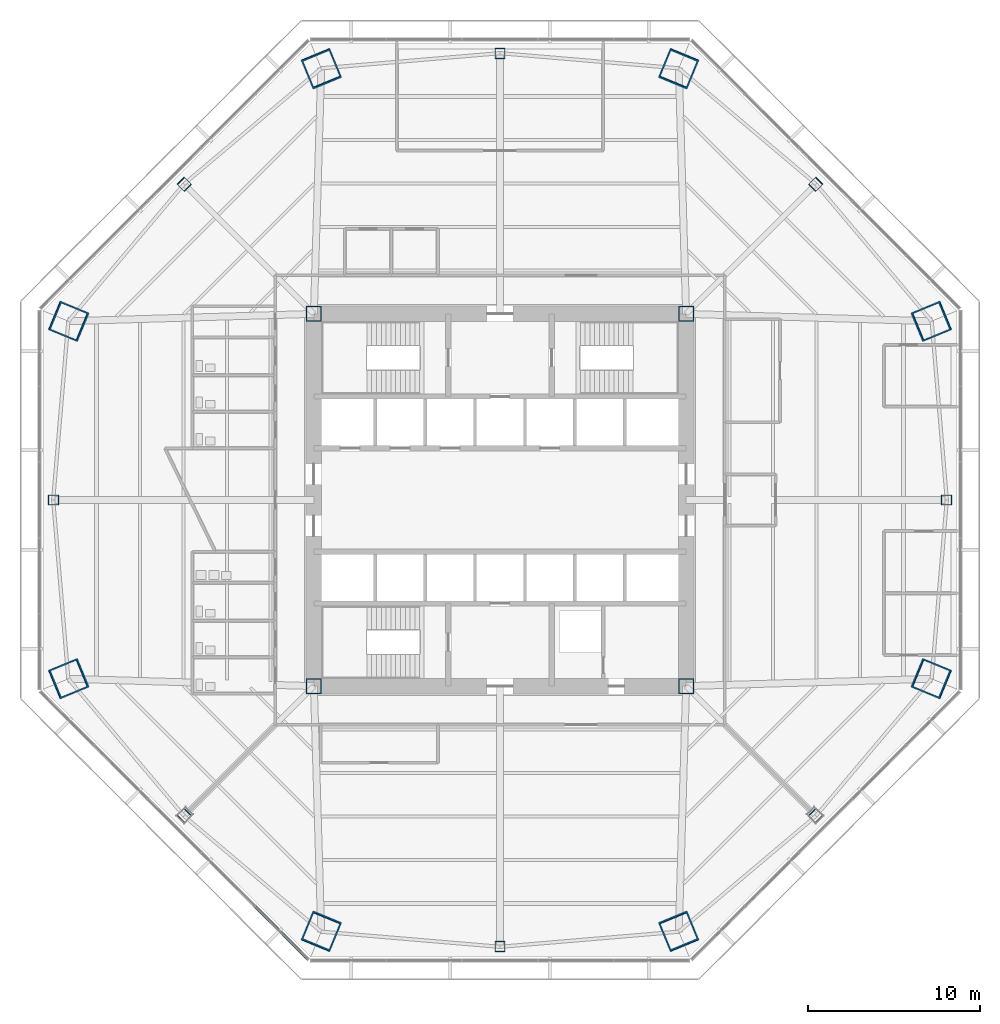
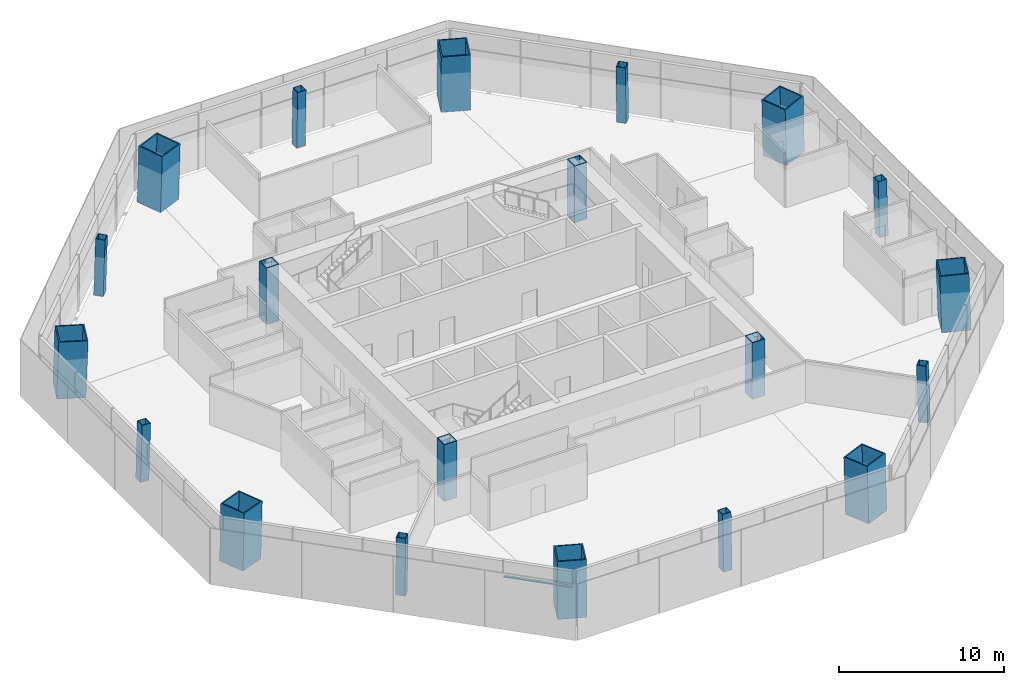
# One storey, part 1 of 13: 20 columns, 1 member, 1 element without a shape of its own.
"""IFC4 building model written with IfcOpenShell, lengths in metres."""

from ifc_helpers import new_model, si_unit, direction, frame, origin, origin_2d, place, context, subcontext, project, spatial, rectangle, hollow_rectangle, extrude, source, transform, mapped, material, material_profile, profile_set, type_object, type_shapes, element, aggregate, save


model = new_model("IFC4")

# Units and contexts
model_context = context("Model", 3, precision=1e-05, world=origin(), true_north=direction((0.0, 1.0)))
body_context = subcontext(model_context, "Body", "Model", "MODEL_VIEW")
ifc_project = project(units=[si_unit("LENGTHUNIT", "METRE"), si_unit("AREAUNIT", "SQUARE_METRE"), si_unit("VOLUMEUNIT", "CUBIC_METRE"), si_unit("PLANEANGLEUNIT", "RADIAN"), si_unit("MASSUNIT", "GRAM", prefix="KILO")], contexts=[model_context])

# Site, building, storey
site_placement = place(None, origin())
site = spatial("IfcSite", under=ifc_project, at=site_placement, CompositionType="ELEMENT")
building_placement = place(site_placement, origin())
building = spatial("IfcBuilding", under=site, at=building_placement, Name="Mashrafa Tower", CompositionType="ELEMENT")
storey_placement = place(building_placement, frame((0.0, 0.0, 45.60009765625)))
storey = spatial("IfcBuildingStorey", under=building, at=storey_placement, Name="L09", CompositionType="ELEMENT", Elevation=45.60009765625)

# Columns
ifc_material_1 = material(Name="Steel ASTM A572 Gr 50", Category="steel")
ifc_material_profile_1 = material_profile(ifc_material_1, hollow_rectangle(XDim=0.89990234375, YDim=0.89990234375, WallThickness=0.06005859375, at=origin_2d()), Name="BOX900X900X60")
ifc_profile_set_1 = profile_set([ifc_material_profile_1], Name="Steel ASTM A572 Gr 50")
column_type_1 = type_object("IfcColumnType", Name="Core corner column BOX900X900X60", PredefinedType="COLUMN", material=ifc_profile_set_1)
for number, where, z_axis, x_axis, name in (
    (1, (10.800048828125, 10.800048828125, 0.0), (0.0, 0.0, 1.0), (1.0, 0.0, 0.0), "Core corner column CC-NE L09"),
    (2, (-10.800048828125, 10.800048828125, 0.0), (0.0, 0.0, 1.0), (1.0, 0.0, 0.0), "Core corner column CC-NW L09"),
    (3, (-10.800048828125, -10.800048828125, 0.0), (0.0, 0.0, 1.0), (1.0, 0.0, 0.0), "Core corner column CC-SW L09"),
    (4, (10.800048828125, -10.800048828125, 0.0), (0.0, 0.0, 1.0), (1.0, 0.0, 0.0), "Core corner column CC-SE L09"),
):
    element("IfcColumn", number, at=place(storey_placement, frame(where, z_axis=z_axis, x_axis=x_axis)), inside=storey, type_object=column_type_1, Name=name, PredefinedType="COLUMN", context=body_context, shape_type="SweptSolid", body=[
        extrude(hollow_rectangle(XDim=0.89990234375, YDim=0.89990234375, WallThickness=0.06005859375, at=origin_2d()), origin(), (0.0, 0.0, 1.0), 4.199951171875),
    ])
ifc_material_2 = material(Name="Steel ASTM A572 Gr 50", Category="steel")
ifc_material_profile_2 = material_profile(ifc_material_2, hollow_rectangle(XDim=1.800048828125, YDim=1.800048828125, WallThickness=0.0849609375, at=origin_2d()), Name="BOX1800X1800X85")
ifc_profile_set_2 = profile_set([ifc_material_profile_2], Name="Steel ASTM A572 Gr 50")
column_type_2 = type_object("IfcColumnType", Name="Mega column CFST BOX1800X1800X85", PredefinedType="COLUMN", material=ifc_profile_set_2)
for number, where, z_axis, x_axis, name in (
    (5, (25.046630859375, 10.37451171875, 0.0), (-0.028295749455, -0.011678533143, 0.999531371407), (0.38151339852, -0.924363308851, 0.0), "Mega column MC1 L09"),
    (6, (10.37451171875, 25.046630859375, 0.0), (-0.011678533143, -0.028295749455, 0.999531371407), (0.924363308851, -0.38151339852, 0.0), "Mega column MC2 L09"),
    (7, (-10.37451171875, 25.046630859375, 0.0), (0.011678533143, -0.028295749455, 0.999531371407), (0.924363308851, 0.38151339852, 0.0), "Mega column MC3 L09"),
    (8, (-25.046630859375, 10.37451171875, 0.0), (0.028295749455, -0.011678533143, 0.999531371407), (0.38151339852, 0.924363308851, 0.0), "Mega column MC4 L09"),
    (9, (-25.046630859375, -10.37451171875, 0.0), (0.028295749455, 0.011678533143, 0.999531371407), (-0.38151339852, 0.924363308851, 0.0), "Mega column MC5 L09"),
    (10, (-10.37451171875, -25.046630859375, 0.0), (0.011678533143, 0.028295749455, 0.999531371407), (-0.924363308851, 0.38151339852, 0.0), "Mega column MC6 L09"),
    (11, (10.37451171875, -25.046630859375, 0.0), (-0.011678533143, 0.028295749455, 0.999531371407), (-0.924363308851, -0.38151339852, 0.0), "Mega column MC7 L09"),
    (12, (25.046630859375, -10.37451171875, 0.0), (-0.028295749455, 0.011678533143, 0.999531371407), (-0.38151339852, -0.924363308851, 0.0), "Mega column MC8 L09"),
):
    element("IfcColumn", number, at=place(storey_placement, frame(where, z_axis=z_axis, x_axis=x_axis)), inside=storey, type_object=column_type_2, Name=name, PredefinedType="COLUMN", context=body_context, shape_type="SweptSolid", body=[
        extrude(hollow_rectangle(XDim=1.800048828125, YDim=1.800048828125, WallThickness=0.0849609375, at=origin_2d()), origin(), (0.0, 0.0, 1.0), 4.201904296875),
    ])
ifc_material_3 = material(Name="Steel ASTM A572 Gr 50", Category="steel")
ifc_material_profile_3 = material_profile(ifc_material_3, hollow_rectangle(XDim=0.60009765625, YDim=0.60009765625, WallThickness=0.031982421875, at=origin_2d()), Name="BOX600X600X32")
ifc_profile_set_3 = profile_set([ifc_material_profile_3], Name="Steel ASTM A572 Gr 50")
column_type_3 = type_object("IfcColumnType", Name="Secondary column BOX600X600X32", PredefinedType="COLUMN", material=ifc_profile_set_3)
for number, where, z_axis, x_axis, name in (
    (13, (25.9248046875, 0.0, 0.0), (-0.028297679255, 0.0, 0.99959954049), (0.0, -1.0, 0.0), "Secondary column SC1 L09"),
    (14, (18.33154296875, 18.33154296875, 0.0), (-0.019988521213, -0.019988521213, 0.999600379171), (0.707106781187, -0.707106781187, 0.0), "Secondary column SC2 L09"),
    (15, (0.0, 25.9248046875, 0.0), (0.0, -0.028297679255, 0.99959954049), (1.0, 0.0, 0.0), "Secondary column SC3 L09"),
    (16, (-18.33154296875, 18.33154296875, 0.0), (0.019988521213, -0.019988521213, 0.999600379171), (0.707106781187, 0.707106781187, 0.0), "Secondary column SC4 L09"),
    (17, (-25.9248046875, 0.0, 0.0), (0.028297679255, 0.0, 0.99959954049), (0.0, 1.0, 0.0), "Secondary column SC5 L09"),
    (18, (-18.33154296875, -18.33154296875, 0.0), (0.019988521213, 0.019988521213, 0.999600379171), (-0.707106781187, 0.707106781187, 0.0), "Secondary column SC6 L09"),
    (19, (0.0, -25.9248046875, 0.0), (0.0, 0.028297679255, 0.99959954049), (-1.0, 0.0, 0.0), "Secondary column SC7 L09"),
    (20, (18.33154296875, -18.33154296875, 0.0), (-0.019988521213, 0.019988521213, 0.999600379171), (-0.707106781187, -0.707106781187, 0.0), "Secondary column SC8 L09"),
):
    element("IfcColumn", number, at=place(storey_placement, frame(where, z_axis=z_axis, x_axis=x_axis)), inside=storey, type_object=column_type_3, Name=name, PredefinedType="COLUMN", context=body_context, shape_type="SweptSolid", body=[
        extrude(hollow_rectangle(XDim=0.60009765625, YDim=0.60009765625, WallThickness=0.031982421875, at=origin_2d()), origin(), (0.0, 0.0, 1.0), 4.20166015625),
    ])

# Curtain wall, member
ifc_material_4 = material(Name="Unitised aluminium curtain wall", Category="aluminium")
curtain_wall_type = type_object("IfcCurtainWallType", Name="Office curtain wall, zone 1 CW-A 200 deep", PredefinedType="NOTDEFINED", material=ifc_material_4)
curtain_wall_placement = place(storey_placement, origin())
curtain_wall = element("IfcCurtainWall", 21, at=curtain_wall_placement, inside=storey, type_object=curtain_wall_type, Name="Office curtain wall, zone 1 L09 south-west", PredefinedType="NOTDEFINED")
ifc_material_5 = material(Name="Extruded aluminium transom", Category="aluminium")
ifc_material_profile_4 = material_profile(ifc_material_5, rectangle(XDim=0.159912109375, YDim=0.080078125, at=origin_2d()), Name="Transom 80x160")
ifc_profile_set_4 = profile_set([ifc_material_profile_4], Name="Extruded aluminium transom")
member_type = type_object("IfcMemberType", Name="Transom CW-A 80 x 160", PredefinedType="MULLION", material=ifc_profile_set_4)
shared_shape = source(origin(), body_context, "Body", "SweptSolid", [
    extrude(rectangle(XDim=0.159912109375, YDim=0.080078125, at=origin_2d()), origin(), (0.0, 0.0, 1.0), 4.309814453125),
])
type_shapes(member_type, [shared_shape])
member_placement = place(storey_placement, frame((-14.19970703125, -23.594970703125, 3.0), z_axis=(0.707135104544, -0.707078456695, 0.0), x_axis=(0.707078456695, 0.707135104544, 0.0)))
member = element("IfcMember", 22, at=member_placement, type_object=member_type, Name="CW-A transom 5", PredefinedType="MULLION", context=body_context, shape_type="MappedRepresentation", body=[
    mapped(shared_shape, transform((0.0, 0.0, 0.0))),
])
aggregate(curtain_wall, [member])

save(model, "model.ifc")
